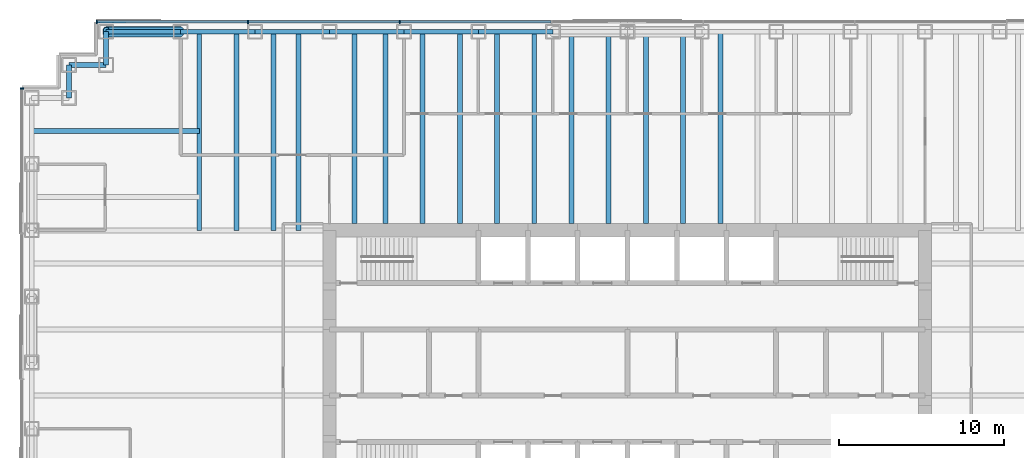
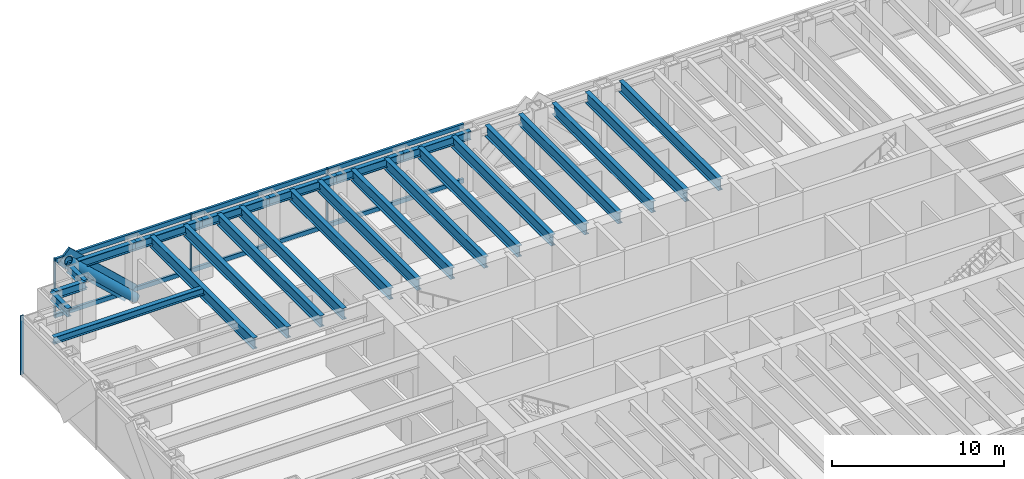
# One storey, part 5 of 14: 25 beams, 12 members, 2 elements without a shape of their own.
"""IFC4 building model written with IfcOpenShell, lengths in metres."""

from ifc_helpers import new_model, si_unit, direction, frame, origin, origin_2d, place, context, subcontext, project, spatial, rectangle, hollow_circle, i_section, extrude, material, material_profile, profile_set, type_object, element, aggregate, save


model = new_model("IFC4")

# Units and contexts
model_context = context("Model", 3, precision=1e-05, world=origin(), true_north=direction((0.0, 1.0)))
body_context = subcontext(model_context, "Body", "Model", "MODEL_VIEW")
ifc_project = project(units=[si_unit("LENGTHUNIT", "METRE"), si_unit("AREAUNIT", "SQUARE_METRE"), si_unit("VOLUMEUNIT", "CUBIC_METRE"), si_unit("PLANEANGLEUNIT", "RADIAN"), si_unit("MASSUNIT", "GRAM", prefix="KILO")], contexts=[model_context])

# Site, building, storey
site_placement = place(None, origin())
site = spatial("IfcSite", under=ifc_project, at=site_placement, CompositionType="ELEMENT")
building_placement = place(site_placement, origin())
building = spatial("IfcBuilding", under=site, at=building_placement, Name="Rheinbord Bourse Tower", CompositionType="ELEMENT")
storey_placement = place(building_placement, frame((0.0, 0.0, 240.39990234375)))
storey = spatial("IfcBuildingStorey", under=building, at=storey_placement, Name="L54", CompositionType="ELEMENT", Elevation=240.39990234375)

# Curtain wall, members
ifc_material_1 = material(Name="Dark glass and black aluminium", Category="aluminium")
curtain_wall_type = type_object("IfcCurtainWallType", Name="CW2 DARK GLASS CURTAIN WALL", PredefinedType="USERDEFINED", material=ifc_material_1)
curtain_wall_1_placement = place(storey_placement, origin())
curtain_wall_1 = element("IfcCurtainWall", 1, at=curtain_wall_1_placement, inside=storey, type_object=curtain_wall_type, Name="Curtain wall CW2 N L54", ObjectType="UNITISED CURTAIN WALL", PredefinedType="USERDEFINED")
ifc_material_2 = material(Name="Black anodised aluminium", Category="aluminium")
ifc_material_profile_1 = material_profile(ifc_material_2, rectangle(XDim=0.159912109375, YDim=1.2099609375, at=origin_2d()), Name="CW2 DIAGONAL MULLION 1210x160")
ifc_profile_set_1 = profile_set([ifc_material_profile_1], Name="Black anodised aluminium")
member_type_1 = type_object("IfcMemberType", Name="CW2 BLACK DIAGONAL MULLION", PredefinedType="USERDEFINED", material=ifc_profile_set_1)
member_1_placement = place(storey_placement, frame((9.0, 44.60009765625, 0.0), z_axis=(-0.731039441158, 0.0, 0.682335207557), x_axis=(0.0, -1.0, 0.0)))
member_1 = element("IfcMember", 2, at=member_1_placement, type_object=member_type_1, Name="CW2 diagonal mullion a", ObjectType="DIAGONAL MULLION", PredefinedType="USERDEFINED", context=body_context, shape_type="SweptSolid", body=[
    extrude(rectangle(XDim=0.159912109375, YDim=1.2099609375, at=origin_2d()), origin(), (0.0, 0.0, 1.0), 6.155517578125),
])
ifc_material_3 = material(Name="Black anodised aluminium", Category="aluminium")
ifc_material_profile_2 = material_profile(ifc_material_3, rectangle(XDim=0.219970703125, YDim=0.070068359375, at=origin_2d()), Name="CW2 MULLION 70x220")
ifc_profile_set_2 = profile_set([ifc_material_profile_2], Name="Black anodised aluminium")
member_type_2 = type_object("IfcMemberType", Name="CW2 BLACK MULLION", PredefinedType="MULLION", material=ifc_profile_set_2)
member_2_placement = place(storey_placement, frame((22.242919921875, 44.60009765625, 0.0), z_axis=(0.0, 0.0, 1.0), x_axis=(0.0, -1.0, 0.0)))
member_2 = element("IfcMember", 3, at=member_2_placement, type_object=member_type_2, Name="CW2 mullion 6", PredefinedType="MULLION", context=body_context, shape_type="SweptSolid", body=[
    extrude(rectangle(XDim=0.219970703125, YDim=0.070068359375, at=origin_2d()), origin(), (0.0, 0.0, 1.0), 4.2001953125),
])
member_3_placement = place(storey_placement, frame((13.071533203125, 44.60009765625, 0.0), z_axis=(0.0, 0.0, 1.0), x_axis=(0.0, -1.0, 0.0)))
member_3 = element("IfcMember", 4, at=member_3_placement, type_object=member_type_2, Name="CW2 mullion 7", PredefinedType="MULLION", context=body_context, shape_type="SweptSolid", body=[
    extrude(rectangle(XDim=0.219970703125, YDim=0.070068359375, at=origin_2d()), origin(), (0.0, 0.0, 1.0), 4.2001953125),
])
member_4_placement = place(storey_placement, frame((3.93505859375, 44.60009765625, 0.0), z_axis=(0.0, 0.0, 1.0), x_axis=(0.0, -1.0, 0.0)))
member_4 = element("IfcMember", 5, at=member_4_placement, type_object=member_type_2, Name="CW2 mullion 8", PredefinedType="MULLION", context=body_context, shape_type="SweptSolid", body=[
    extrude(rectangle(XDim=0.219970703125, YDim=0.070068359375, at=origin_2d()), origin(), (0.0, 0.0, 1.0), 4.2001953125),
])

# Curtain wall, member
curtain_wall_2_placement = place(storey_placement, origin())
curtain_wall_2 = element("IfcCurtainWall", 6, at=curtain_wall_2_placement, inside=storey, type_object=curtain_wall_type, Name="Curtain wall CW2 W L54", ObjectType="UNITISED CURTAIN WALL", PredefinedType="USERDEFINED")
member_5_placement = place(storey_placement, frame((-0.60009765625, 40.56494140625, 0.0), z_axis=(0.0, 0.0, 1.0), x_axis=(1.0, 0.0, 0.0)))
member_5 = element("IfcMember", 7, at=member_5_placement, type_object=member_type_2, Name="CW2 mullion 1", PredefinedType="MULLION", context=body_context, shape_type="SweptSolid", body=[
    extrude(rectangle(XDim=0.219970703125, YDim=0.070068359375, at=origin_2d()), origin(), (0.0, 0.0, 1.0), 4.2001953125),
])
aggregate(curtain_wall_2, [member_5])

# Member
ifc_material_4 = material(Name="Black anodised aluminium", Category="aluminium")
ifc_material_profile_3 = material_profile(ifc_material_4, rectangle(XDim=0.159912109375, YDim=0.300048828125, at=origin_2d()), Name="CW2 TRANSOM 300x160")
ifc_profile_set_3 = profile_set([ifc_material_profile_3], Name="Black anodised aluminium")
member_type_3 = type_object("IfcMemberType", Name="CW2 BLACK TRANSOM", PredefinedType="USERDEFINED", material=ifc_profile_set_3)
member_6_placement = place(storey_placement, frame((31.37939453125, 44.60009765625, 0.150146484375), z_axis=(-1.0, 0.0, 0.0), x_axis=(0.0, -1.0, 0.0)))
member_6 = element("IfcMember", 8, at=member_6_placement, type_object=member_type_3, Name="CW2 transom 5.1", ObjectType="TRANSOM", PredefinedType="USERDEFINED", context=body_context, shape_type="SweptSolid", body=[
    extrude(rectangle(XDim=0.159912109375, YDim=0.300048828125, at=origin_2d()), origin(), (0.0, 0.0, 1.0), 9.1015625),
])

member_7_placement = place(storey_placement, frame((31.37939453125, 44.60009765625, 4.050048828125), z_axis=(-1.0, 0.0, 0.0), x_axis=(0.0, -1.0, 0.0)))
member_7 = element("IfcMember", 9, at=member_7_placement, type_object=member_type_3, Name="CW2 transom 5.2", ObjectType="TRANSOM", PredefinedType="USERDEFINED", context=body_context, shape_type="SweptSolid", body=[
    extrude(rectangle(XDim=0.159912109375, YDim=0.300048828125, at=origin_2d()), origin(), (0.0, 0.0, 1.0), 9.1015625),
])

member_8_placement = place(storey_placement, frame((22.207763671875, 44.60009765625, 0.150146484375), z_axis=(-1.0, 0.0, 0.0), x_axis=(0.0, -1.0, 0.0)))
member_8 = element("IfcMember", 10, at=member_8_placement, type_object=member_type_3, Name="CW2 transom 6.1", ObjectType="TRANSOM", PredefinedType="USERDEFINED", context=body_context, shape_type="SweptSolid", body=[
    extrude(rectangle(XDim=0.159912109375, YDim=0.300048828125, at=origin_2d()), origin(), (0.0, 0.0, 1.0), 9.101318359375),
])

member_9_placement = place(storey_placement, frame((22.207763671875, 44.60009765625, 4.050048828125), z_axis=(-1.0, 0.0, 0.0), x_axis=(0.0, -1.0, 0.0)))
member_9 = element("IfcMember", 11, at=member_9_placement, type_object=member_type_3, Name="CW2 transom 6.2", ObjectType="TRANSOM", PredefinedType="USERDEFINED", context=body_context, shape_type="SweptSolid", body=[
    extrude(rectangle(XDim=0.159912109375, YDim=0.300048828125, at=origin_2d()), origin(), (0.0, 0.0, 1.0), 9.101318359375),
])

member_10_placement = place(storey_placement, frame((13.036376953125, 44.60009765625, 0.150146484375), z_axis=(-1.0, 0.0, 0.0), x_axis=(0.0, -1.0, 0.0)))
member_10 = element("IfcMember", 12, at=member_10_placement, type_object=member_type_3, Name="CW2 transom 7.1", ObjectType="TRANSOM", PredefinedType="USERDEFINED", context=body_context, shape_type="SweptSolid", body=[
    extrude(rectangle(XDim=0.159912109375, YDim=0.300048828125, at=origin_2d()), origin(), (0.0, 0.0, 1.0), 9.06640625),
])

member_11_placement = place(storey_placement, frame((13.036376953125, 44.60009765625, 4.050048828125), z_axis=(-1.0, 0.0, 0.0), x_axis=(0.0, -1.0, 0.0)))
member_11 = element("IfcMember", 13, at=member_11_placement, type_object=member_type_3, Name="CW2 transom 7.2", ObjectType="TRANSOM", PredefinedType="USERDEFINED", context=body_context, shape_type="SweptSolid", body=[
    extrude(rectangle(XDim=0.159912109375, YDim=0.300048828125, at=origin_2d()), origin(), (0.0, 0.0, 1.0), 9.06640625),
])

aggregate(curtain_wall_1, [member_2, member_3, member_4, member_6, member_7, member_8, member_9, member_10, member_11, member_1])

# Beams
ifc_material_5 = material(Name="Steel S460", Category="steel")
ifc_material_profile_4 = material_profile(ifc_material_5, i_section(OverallWidth=0.300048828125, OverallDepth=0.800048828125, WebThickness=0.017578125, FlangeThickness=0.032958984375, at=origin_2d()), Name="HEB 800")
ifc_profile_set_4 = profile_set([ifc_material_profile_4], Name="Steel S460")
beam_type_1 = type_object("IfcBeamType", Name="FLOOR BEAM HEB 800", PredefinedType="BEAM", material=ifc_profile_set_4)
for number, where, z_axis, x_axis, name in (
    (14, (10.125, 44.0, 3.64013671875), (0.0, -1.0, 0.0), (1.0, 0.0, 0.0), "Floor beam N-9a L55"),
    (15, (12.375, 44.0, 3.64013671875), (0.0, -1.0, 0.0), (1.0, 0.0, 0.0), "Floor beam N-9b L55"),
    (16, (14.625, 44.0, 3.64013671875), (0.0, -1.0, 0.0), (1.0, 0.0, 0.0), "Floor beam N-13.5a L55"),
    (17, (16.125, 44.0, 3.64013671875), (0.0, -1.0, 0.0), (1.0, 0.0, 0.0), "Floor beam N-13.5b L55"),
):
    element("IfcBeam", number, at=place(storey_placement, frame(where, z_axis=z_axis, x_axis=x_axis)), inside=storey, type_object=beam_type_1, Name=name, PredefinedType="BEAM", context=body_context, shape_type="SweptSolid", body=[
        extrude(i_section(OverallWidth=0.300048828125, OverallDepth=0.800048828125, WebThickness=0.017578125, FlangeThickness=0.032958984375, at=origin_2d()), origin(), (0.0, 0.0, 1.0), 12.0),
    ])
for number, where, z_axis, x_axis, name in (
    (18, (19.5, 44.0, 3.64013671875), (0.0, -1.0, 0.0), (1.0, 0.0, 0.0), "Floor beam N-18a L55"),
    (19, (21.375, 44.0, 3.64013671875), (0.0, -1.0, 0.0), (1.0, 0.0, 0.0), "Floor beam N-18b L55"),
    (20, (23.625, 44.0, 3.64013671875), (0.0, -1.0, 0.0), (1.0, 0.0, 0.0), "Floor beam N-22.5a L55"),
    (21, (25.875, 44.0, 3.64013671875), (0.0, -1.0, 0.0), (1.0, 0.0, 0.0), "Floor beam N-22.5b L55"),
    (22, (28.125, 44.0, 3.64013671875), (0.0, -1.0, 0.0), (1.0, 0.0, 0.0), "Floor beam N-27a L55"),
    (23, (30.375, 44.0, 3.64013671875), (0.0, -1.0, 0.0), (1.0, 0.0, 0.0), "Floor beam N-27b L55"),
    (24, (32.625, 44.0, 3.64013671875), (0.0, -1.0, 0.0), (1.0, 0.0, 0.0), "Floor beam N-31.5a L55"),
    (25, (34.875, 44.0, 3.64013671875), (0.0, -1.0, 0.0), (1.0, 0.0, 0.0), "Floor beam N-31.5b L55"),
    (26, (37.125, 44.0, 3.64013671875), (0.0, -1.0, 0.0), (1.0, 0.0, 0.0), "Floor beam N-36a L55"),
    (27, (39.375, 44.0, 3.64013671875), (0.0, -1.0, 0.0), (1.0, 0.0, 0.0), "Floor beam N-36b L55"),
    (28, (41.625, 44.0, 3.64013671875), (0.0, -1.0, 0.0), (1.0, 0.0, 0.0), "Floor beam N-40.5a L55"),
):
    element("IfcBeam", number, at=place(storey_placement, frame(where, z_axis=z_axis, x_axis=x_axis)), inside=storey, type_object=beam_type_1, Name=name, PredefinedType="BEAM", context=body_context, shape_type="SweptSolid", body=[
        extrude(i_section(OverallWidth=0.300048828125, OverallDepth=0.800048828125, WebThickness=0.017578125, FlangeThickness=0.032958984375, at=origin_2d()), origin(), (0.0, 0.0, 1.0), 11.60009765625),
    ])

# Member
ifc_material_6 = material(Name="Steel S460", Category="steel")
ifc_material_profile_5 = material_profile(ifc_material_6, hollow_circle(Radius=0.304931640625, WallThickness=0.0400390625, at=origin_2d()), Name="CHS 610x40")
ifc_profile_set_5 = profile_set([ifc_material_profile_5], Name="Steel S460")
member_type_4 = type_object("IfcMemberType", Name="MEGABRACE CHS 610x40", PredefinedType="BRACE", material=ifc_profile_set_5)
member_12_placement = place(storey_placement, frame((9.0, 44.0, 0.0), z_axis=(-0.731039441158, 0.0, 0.682335207557), x_axis=(0.0, -1.0, 0.0)))
element("IfcMember", 29, at=member_12_placement, inside=storey, type_object=member_type_4, Name="Megabrace N face line a L54", PredefinedType="BRACE", context=body_context, shape_type="SweptSolid", body=[
    extrude(hollow_circle(Radius=0.304931640625, WallThickness=0.0400390625, at=origin_2d()), origin(), (0.0, 0.0, 1.0), 6.155517578125),
])

# Beams
ifc_material_7 = material(Name="Steel S460", Category="steel")
ifc_material_profile_6 = material_profile(ifc_material_7, i_section(OverallWidth=0.300048828125, OverallDepth=0.60009765625, WebThickness=0.015380859375, FlangeThickness=0.030029296875, at=origin_2d()), Name="HEB 600")
ifc_profile_set_6 = profile_set([ifc_material_profile_6], Name="Steel S460")
beam_type_2 = type_object("IfcBeamType", Name="SPANDREL HEB 600", PredefinedType="SPANDREL", material=ifc_profile_set_6)
for number, where, z_axis, x_axis, name in (
    (30, (31.5, 44.0, 3.739990234375), (-1.0, 0.0, 0.0), (0.0, -1.0, 0.0), "Spandrel N-31.5-N-27 under L55"),
    (31, (27.0, 44.0, 3.739990234375), (-1.0, 0.0, 0.0), (0.0, -1.0, 0.0), "Spandrel N-27-N-22.5 under L55"),
    (32, (22.5, 44.0, 3.739990234375), (-1.0, 0.0, 0.0), (0.0, -1.0, 0.0), "Spandrel N-22.5-N-18 under L55"),
    (33, (18.0, 44.0, 3.739990234375), (-1.0, 0.0, 0.0), (0.0, -1.0, 0.0), "Spandrel N-18-N-13.5 under L55"),
    (34, (13.5, 44.0, 3.739990234375), (-1.0, 0.0, 0.0), (0.0, -1.0, 0.0), "Spandrel N-13.5-N-9 under L55"),
    (35, (9.0, 44.0, 3.739990234375), (-1.0, 0.0, 0.0), (0.0, -1.0, 0.0), "Spandrel N-9-NW-E under L55"),
):
    element("IfcBeam", number, at=place(storey_placement, frame(where, z_axis=z_axis, x_axis=x_axis)), inside=storey, type_object=beam_type_2, Name=name, PredefinedType="SPANDREL", context=body_context, shape_type="SweptSolid", body=[
        extrude(i_section(OverallWidth=0.300048828125, OverallDepth=0.60009765625, WebThickness=0.015380859375, FlangeThickness=0.030029296875, at=origin_2d()), origin(), (0.0, 0.0, 1.0), 4.5),
    ])
beam_1_placement = place(storey_placement, frame((4.5, 44.0, 3.739990234375), z_axis=(0.0, -1.0, 0.0), x_axis=(1.0, 0.0, 0.0)))
element("IfcBeam", 36, at=beam_1_placement, inside=storey, type_object=beam_type_2, Name="Spandrel NW-E-NW-D under L55", PredefinedType="SPANDREL", context=body_context, shape_type="SweptSolid", body=[
    extrude(i_section(OverallWidth=0.300048828125, OverallDepth=0.60009765625, WebThickness=0.015380859375, FlangeThickness=0.030029296875, at=origin_2d()), origin(), (0.0, 0.0, 1.0), 2.0),
])
beam_2_placement = place(storey_placement, frame((4.5, 42.0, 3.739990234375), z_axis=(-1.0, 0.0, 0.0), x_axis=(0.0, -1.0, 0.0)))
element("IfcBeam", 37, at=beam_2_placement, inside=storey, type_object=beam_type_2, Name="Spandrel NW-D-NW-C under L55", PredefinedType="SPANDREL", context=body_context, shape_type="SweptSolid", body=[
    extrude(i_section(OverallWidth=0.300048828125, OverallDepth=0.60009765625, WebThickness=0.015380859375, FlangeThickness=0.030029296875, at=origin_2d()), origin(), (0.0, 0.0, 1.0), 2.25),
])
beam_3_placement = place(storey_placement, frame((2.25, 42.0, 3.739990234375), z_axis=(0.0, -1.0, 0.0), x_axis=(1.0, 0.0, 0.0)))
element("IfcBeam", 38, at=beam_3_placement, inside=storey, type_object=beam_type_2, Name="Spandrel NW-C-NW-B under L55", PredefinedType="SPANDREL", context=body_context, shape_type="SweptSolid", body=[
    extrude(i_section(OverallWidth=0.300048828125, OverallDepth=0.60009765625, WebThickness=0.015380859375, FlangeThickness=0.030029296875, at=origin_2d()), origin(), (0.0, 0.0, 1.0), 2.0),
])
ifc_material_8 = material(Name="Steel S460", Category="steel")
ifc_material_profile_7 = material_profile(ifc_material_8, i_section(OverallWidth=0.300048828125, OverallDepth=0.5, WebThickness=0.014404296875, FlangeThickness=0.028076171875, at=origin_2d()), Name="HEB 500")
ifc_profile_set_7 = profile_set([ifc_material_profile_7], Name="Steel S460")
beam_type_3 = type_object("IfcBeamType", Name="TIE BEAM HEB 500", PredefinedType="JOIST", material=ifc_profile_set_7)
beam_4_placement = place(storey_placement, frame((0.0, 38.0, 3.7900390625), z_axis=(1.0, 0.0, 0.0), x_axis=(0.0, 1.0, 0.0)))
element("IfcBeam", 39, at=beam_4_placement, inside=storey, type_object=beam_type_3, Name="Tie west 38 L55", PredefinedType="JOIST", context=body_context, shape_type="SweptSolid", body=[
    extrude(i_section(OverallWidth=0.300048828125, OverallDepth=0.5, WebThickness=0.014404296875, FlangeThickness=0.028076171875, at=origin_2d()), origin(), (0.0, 0.0, 1.0), 10.125),
])

save(model, "model.ifc")
